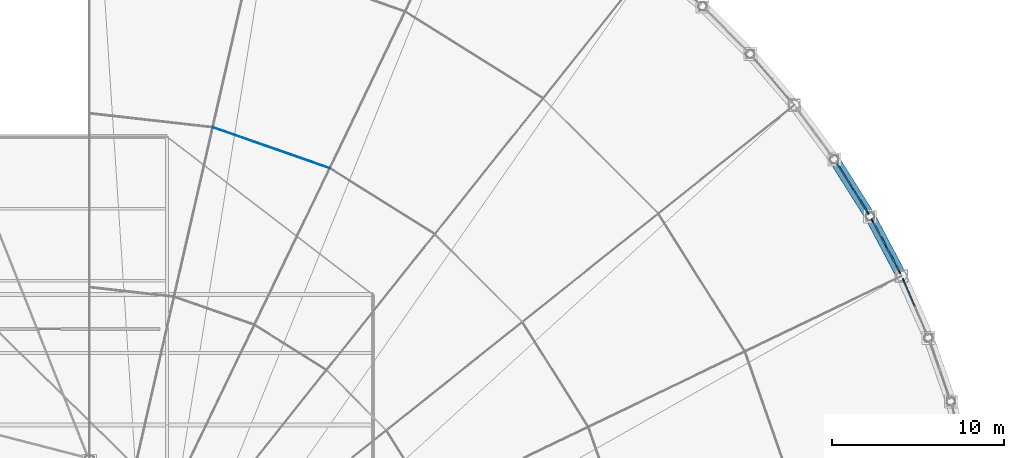
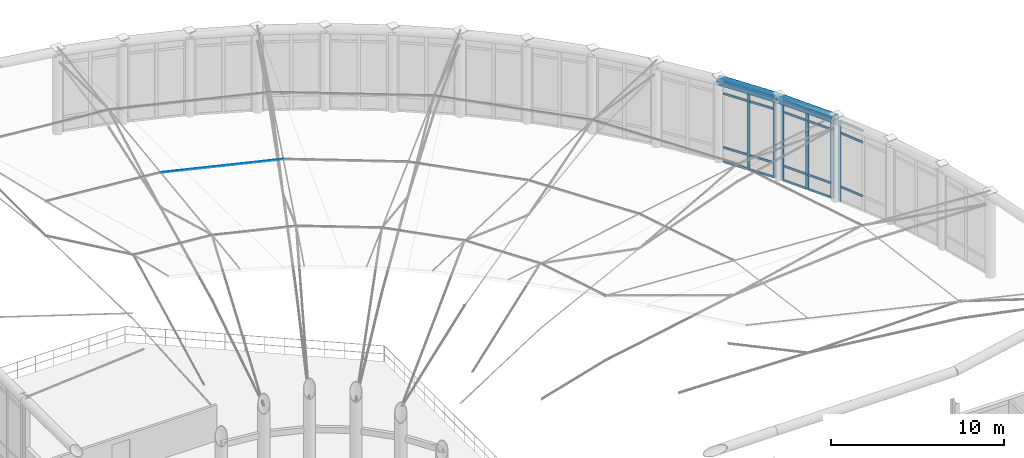
# One storey, part 58 of 101: 26 members, 2 beams, 3 elements without a shape of their own.
"""IFC4 building model written with IfcOpenShell, lengths in metres."""

from ifc_helpers import new_model, si_unit, direction, frame, origin, origin_2d, place, context, subcontext, project, spatial, rectangle, circle, hollow_circle, extrude, material, layer, layer_set, material_profile, profile_set, type_object, element, aggregate, save


model = new_model("IFC4")

# Units and contexts
model_context = context("Model", 3, precision=1e-05, world=origin(), true_north=direction((0.0, 1.0)))
body_context = subcontext(model_context, "Body", "Model", "MODEL_VIEW")
ifc_project = project(units=[si_unit("LENGTHUNIT", "METRE"), si_unit("AREAUNIT", "SQUARE_METRE"), si_unit("VOLUMEUNIT", "CUBIC_METRE"), si_unit("PLANEANGLEUNIT", "RADIAN"), si_unit("MASSUNIT", "GRAM", prefix="KILO"), si_unit("THERMODYNAMICTEMPERATUREUNIT", "KELVIN"), si_unit("POWERUNIT", "WATT")], contexts=[model_context])

# Site, building, storey
site_placement = place(None, origin())
site = spatial("IfcSite", under=ifc_project, at=site_placement, CompositionType="ELEMENT")
building_placement = place(site_placement, origin())
building = spatial("IfcBuilding", under=site, at=building_placement, Name="Tembeka Court Mobility Hub", CompositionType="ELEMENT")
storey_placement = place(building_placement, frame((0.0, 0.0, 5.39990234375)))
storey = spatial("IfcBuildingStorey", under=building, at=storey_placement, Name="L01", CompositionType="ELEMENT", Elevation=5.39990234375)

# Beams
ifc_material_1 = material(Name="Steel S355", Category="steel")
ifc_material_profile_1 = material_profile(ifc_material_1, hollow_circle(Radius=0.304931640625, WallThickness=0.02001953125, at=origin_2d()), Name="CHS 610x20")
ifc_profile_set_1 = profile_set([ifc_material_profile_1], Name="Steel S355")
beam_type = type_object("IfcBeamType", Name="BM-RB01", PredefinedType="BEAM", material=ifc_profile_set_1)
beam_1_placement = place(storey_placement, frame((171.200927734375, 89.078857421875, 5.695068359375), z_axis=(-0.467296216341, 0.884100812234, 0.0), x_axis=(-0.884100812234, -0.467296216341, 0.0)))
element("IfcBeam", 1, at=beam_1_placement, inside=storey, type_object=beam_type, Name="Concourse compression ring beam RB01-07", PredefinedType="BEAM", context=body_context, shape_type="SweptSolid", body=[
    extrude(hollow_circle(Radius=0.304931640625, WallThickness=0.02001953125, at=origin_2d()), origin(), (0.0, 0.0, 1.0), 3.92626953125),
])
beam_2_placement = place(storey_placement, frame((169.3662109375, 92.550048828125, 5.695068359375), z_axis=(-0.532009791084, 0.846738201684, 0.0), x_axis=(-0.846738201684, -0.532009791084, 0.0)))
element("IfcBeam", 2, at=beam_2_placement, inside=storey, type_object=beam_type, Name="Concourse compression ring beam RB01-08", PredefinedType="BEAM", context=body_context, shape_type="SweptSolid", body=[
    extrude(hollow_circle(Radius=0.304931640625, WallThickness=0.02001953125, at=origin_2d()), origin(), (0.0, 0.0, 1.0), 3.926025390625),
])

# Curtain wall, member
ifc_material_2 = material(Name="Anodised aluminium 6063-T6", Category="aluminium")
ifc_layer = layer(ifc_material_2, 0.199951171875)
ifc_layer_set = layer_set([ifc_layer], Name="Anodised aluminium 6063-T6")
curtain_wall_type = type_object("IfcCurtainWallType", Name="CW-SYS25", PredefinedType="USERDEFINED", material=ifc_layer_set)
curtain_wall_1_placement = place(storey_placement, origin())
curtain_wall_1 = element("IfcCurtainWall", 3, at=curtain_wall_1_placement, inside=storey, type_object=curtain_wall_type, Name="Unitised curtain wall CW25 (CW-L01-054)", ObjectType="UNITISED GLAZING", PredefinedType="USERDEFINED")
ifc_material_profile_2 = material_profile(ifc_material_2, rectangle(XDim=0.074951171875, YDim=0.199951171875, at=origin_2d()), Name="ALU-MUL 75x200")
ifc_profile_set_2 = profile_set([ifc_material_profile_2], Name="Anodised aluminium 6063-T6")
member_type_1 = type_object("IfcMemberType", Name="CW-MUL02", PredefinedType="MULLION", material=ifc_profile_set_2)
member_1_placement = place(storey_placement, frame((171.303955078125, 88.843017578125, 0.0), z_axis=(0.0, 0.0, 1.0), x_axis=(-0.916572258286, -0.399869097757, 0.0)))
member_1 = element("IfcMember", 4, at=member_1_placement, type_object=member_type_1, Name="CW25 mullion 3", PredefinedType="MULLION", context=body_context, shape_type="SweptSolid", body=[
    extrude(rectangle(XDim=0.074951171875, YDim=0.199951171875, at=origin_2d()), origin(), (0.0, 0.0, 1.0), 5.7001953125),
])

# Curtain wall, members
curtain_wall_2_placement = place(storey_placement, origin())
curtain_wall_2 = element("IfcCurtainWall", 5, at=curtain_wall_2_placement, inside=storey, type_object=curtain_wall_type, Name="Unitised curtain wall CW25 (CW-L01-056)", ObjectType="UNITISED GLAZING", PredefinedType="USERDEFINED")
member_2_placement = place(storey_placement, frame((171.08056640625, 89.306640625, 0.0), z_axis=(0.0, 0.0, 1.0), x_axis=(-0.884107976202, -0.467282662225, 0.0)))
member_2 = element("IfcMember", 6, at=member_2_placement, type_object=member_type_1, Name="CW25 mullion 1", PredefinedType="MULLION", context=body_context, shape_type="SweptSolid", body=[
    extrude(rectangle(XDim=0.074951171875, YDim=0.199951171875, at=origin_2d()), origin(), (0.0, 0.0, 1.0), 5.7001953125),
])
member_3_placement = place(storey_placement, frame((170.28369140625, 90.814453125, 0.0), z_axis=(0.0, 0.0, 1.0), x_axis=(-0.884107976202, -0.467282662225, 0.0)))
member_3 = element("IfcMember", 7, at=member_3_placement, type_object=member_type_1, Name="CW25 mullion 2", PredefinedType="MULLION", context=body_context, shape_type="SweptSolid", body=[
    extrude(rectangle(XDim=0.074951171875, YDim=0.199951171875, at=origin_2d()), origin(), (0.0, 0.0, 1.0), 5.7001953125),
])
member_4_placement = place(storey_placement, frame((169.486572265625, 92.322265625, 0.0), z_axis=(0.0, 0.0, 1.0), x_axis=(-0.884107976202, -0.467282662225, 0.0)))
member_4 = element("IfcMember", 8, at=member_4_placement, type_object=member_type_1, Name="CW25 mullion 3", PredefinedType="MULLION", context=body_context, shape_type="SweptSolid", body=[
    extrude(rectangle(XDim=0.074951171875, YDim=0.199951171875, at=origin_2d()), origin(), (0.0, 0.0, 1.0), 5.7001953125),
])

curtain_wall_3_placement = place(storey_placement, origin())
curtain_wall_3 = element("IfcCurtainWall", 9, at=curtain_wall_3_placement, inside=storey, type_object=curtain_wall_type, Name="Unitised curtain wall CW25 (CW-L01-058)", ObjectType="UNITISED GLAZING", PredefinedType="USERDEFINED")
member_5_placement = place(storey_placement, frame((169.229248046875, 92.76806640625, 0.0), z_axis=(0.0, 0.0, 1.0), x_axis=(-0.846708179607, -0.532057570744, 0.0)))
member_5 = element("IfcMember", 10, at=member_5_placement, type_object=member_type_1, Name="CW25 mullion 1", PredefinedType="MULLION", context=body_context, shape_type="SweptSolid", body=[
    extrude(rectangle(XDim=0.074951171875, YDim=0.199951171875, at=origin_2d()), origin(), (0.0, 0.0, 1.0), 5.7001953125),
])
member_6_placement = place(storey_placement, frame((168.322021484375, 94.212158203125, 0.0), z_axis=(0.0, 0.0, 1.0), x_axis=(-0.846708179607, -0.532057570744, 0.0)))
member_6 = element("IfcMember", 11, at=member_6_placement, type_object=member_type_1, Name="CW25 mullion 2", PredefinedType="MULLION", context=body_context, shape_type="SweptSolid", body=[
    extrude(rectangle(XDim=0.074951171875, YDim=0.199951171875, at=origin_2d()), origin(), (0.0, 0.0, 1.0), 5.7001953125),
])

# Member
ifc_material_profile_3 = material_profile(ifc_material_2, rectangle(XDim=0.074951171875, YDim=0.14990234375, at=origin_2d()), Name="ALU-TRN 75x150")
ifc_profile_set_3 = profile_set([ifc_material_profile_3], Name="Anodised aluminium 6063-T6")
member_type_2 = type_object("IfcMemberType", Name="CW-TRN02", PredefinedType="USERDEFINED", material=ifc_profile_set_3)
member_7_placement = place(storey_placement, frame((171.970947265625, 87.31396484375, 1.050048828125), z_axis=(-0.399891861372, 0.916562326963, 0.0), x_axis=(-0.916562326963, -0.399891861372, 0.0)))
member_7 = element("IfcMember", 12, at=member_7_placement, type_object=member_type_2, Name="CW25 transom 2.2", ObjectType="TRANSOM", PredefinedType="USERDEFINED", context=body_context, shape_type="SweptSolid", body=[
    extrude(rectangle(XDim=0.074951171875, YDim=0.14990234375, at=origin_2d()), origin(), (0.0, 0.0, 1.0), 1.630615234375),
])

member_8_placement = place(storey_placement, frame((171.970947265625, 87.31396484375, 4.85009765625), z_axis=(-0.399891861372, 0.916562326963, 0.0), x_axis=(-0.916562326963, -0.399891861372, 0.0)))
member_8 = element("IfcMember", 13, at=member_8_placement, type_object=member_type_2, Name="CW25 transom 2.3", ObjectType="TRANSOM", PredefinedType="USERDEFINED", context=body_context, shape_type="SweptSolid", body=[
    extrude(rectangle(XDim=0.074951171875, YDim=0.14990234375, at=origin_2d()), origin(), (0.0, 0.0, 1.0), 1.630615234375),
])

member_9_placement = place(storey_placement, frame((171.970947265625, 87.31396484375, 5.66259765625), z_axis=(-0.399891861372, 0.916562326963, 0.0), x_axis=(-0.916562326963, -0.399891861372, 0.0)))
member_9 = element("IfcMember", 14, at=member_9_placement, type_object=member_type_2, Name="CW25 transom 2.4", ObjectType="TRANSOM", PredefinedType="USERDEFINED", context=body_context, shape_type="SweptSolid", body=[
    extrude(rectangle(XDim=0.074951171875, YDim=0.14990234375, at=origin_2d()), origin(), (0.0, 0.0, 1.0), 1.630615234375),
])

aggregate(curtain_wall_1, [member_1, member_7, member_8, member_9])

member_10_placement = place(storey_placement, frame((171.06298828125, 89.339599609375, 0.03759765625), z_axis=(-0.467282248341, 0.884108194954, 0.0), x_axis=(-0.884108194954, -0.467282248341, 0.0)))
member_10 = element("IfcMember", 15, at=member_10_placement, type_object=member_type_2, Name="CW25 transom 1.1", ObjectType="TRANSOM", PredefinedType="USERDEFINED", context=body_context, shape_type="SweptSolid", body=[
    extrude(rectangle(XDim=0.074951171875, YDim=0.14990234375, at=origin_2d()), origin(), (0.0, 0.0, 1.0), 1.630615234375),
])

member_11_placement = place(storey_placement, frame((171.06298828125, 89.339599609375, 1.050048828125), z_axis=(-0.467282248341, 0.884108194954, 0.0), x_axis=(-0.884108194954, -0.467282248341, 0.0)))
member_11 = element("IfcMember", 16, at=member_11_placement, type_object=member_type_2, Name="CW25 transom 1.2", ObjectType="TRANSOM", PredefinedType="USERDEFINED", context=body_context, shape_type="SweptSolid", body=[
    extrude(rectangle(XDim=0.074951171875, YDim=0.14990234375, at=origin_2d()), origin(), (0.0, 0.0, 1.0), 1.630615234375),
])

member_12_placement = place(storey_placement, frame((171.06298828125, 89.339599609375, 4.85009765625), z_axis=(-0.467282248341, 0.884108194954, 0.0), x_axis=(-0.884108194954, -0.467282248341, 0.0)))
member_12 = element("IfcMember", 17, at=member_12_placement, type_object=member_type_2, Name="CW25 transom 1.3", ObjectType="TRANSOM", PredefinedType="USERDEFINED", context=body_context, shape_type="SweptSolid", body=[
    extrude(rectangle(XDim=0.074951171875, YDim=0.14990234375, at=origin_2d()), origin(), (0.0, 0.0, 1.0), 1.630615234375),
])

member_13_placement = place(storey_placement, frame((171.06298828125, 89.339599609375, 5.66259765625), z_axis=(-0.467282248341, 0.884108194954, 0.0), x_axis=(-0.884108194954, -0.467282248341, 0.0)))
member_13 = element("IfcMember", 18, at=member_13_placement, type_object=member_type_2, Name="CW25 transom 1.4", ObjectType="TRANSOM", PredefinedType="USERDEFINED", context=body_context, shape_type="SweptSolid", body=[
    extrude(rectangle(XDim=0.074951171875, YDim=0.14990234375, at=origin_2d()), origin(), (0.0, 0.0, 1.0), 1.630615234375),
])

member_14_placement = place(storey_placement, frame((170.26611328125, 90.84765625, 0.03759765625), z_axis=(-0.467282248341, 0.884108194954, 0.0), x_axis=(-0.884108194954, -0.467282248341, 0.0)))
member_14 = element("IfcMember", 19, at=member_14_placement, type_object=member_type_2, Name="CW25 transom 2.1", ObjectType="TRANSOM", PredefinedType="USERDEFINED", context=body_context, shape_type="SweptSolid", body=[
    extrude(rectangle(XDim=0.074951171875, YDim=0.14990234375, at=origin_2d()), origin(), (0.0, 0.0, 1.0), 1.630615234375),
])

member_15_placement = place(storey_placement, frame((170.26611328125, 90.84765625, 1.050048828125), z_axis=(-0.467282248341, 0.884108194954, 0.0), x_axis=(-0.884108194954, -0.467282248341, 0.0)))
member_15 = element("IfcMember", 20, at=member_15_placement, type_object=member_type_2, Name="CW25 transom 2.2", ObjectType="TRANSOM", PredefinedType="USERDEFINED", context=body_context, shape_type="SweptSolid", body=[
    extrude(rectangle(XDim=0.074951171875, YDim=0.14990234375, at=origin_2d()), origin(), (0.0, 0.0, 1.0), 1.630615234375),
])

member_16_placement = place(storey_placement, frame((170.26611328125, 90.84765625, 4.85009765625), z_axis=(-0.467282248341, 0.884108194954, 0.0), x_axis=(-0.884108194954, -0.467282248341, 0.0)))
member_16 = element("IfcMember", 21, at=member_16_placement, type_object=member_type_2, Name="CW25 transom 2.3", ObjectType="TRANSOM", PredefinedType="USERDEFINED", context=body_context, shape_type="SweptSolid", body=[
    extrude(rectangle(XDim=0.074951171875, YDim=0.14990234375, at=origin_2d()), origin(), (0.0, 0.0, 1.0), 1.630615234375),
])

member_17_placement = place(storey_placement, frame((170.26611328125, 90.84765625, 5.66259765625), z_axis=(-0.467282248341, 0.884108194954, 0.0), x_axis=(-0.884108194954, -0.467282248341, 0.0)))
member_17 = element("IfcMember", 22, at=member_17_placement, type_object=member_type_2, Name="CW25 transom 2.4", ObjectType="TRANSOM", PredefinedType="USERDEFINED", context=body_context, shape_type="SweptSolid", body=[
    extrude(rectangle(XDim=0.074951171875, YDim=0.14990234375, at=origin_2d()), origin(), (0.0, 0.0, 1.0), 1.630615234375),
])

aggregate(curtain_wall_2, [member_2, member_3, member_4, member_10, member_11, member_12, member_13, member_14, member_15, member_16, member_17])

member_18_placement = place(storey_placement, frame((169.20947265625, 92.7998046875, 0.03759765625), z_axis=(-0.532110218456, 0.846675094363, 0.0), x_axis=(-0.846675094363, -0.532110218456, 0.0)))
member_18 = element("IfcMember", 23, at=member_18_placement, type_object=member_type_2, Name="CW25 transom 1.1", ObjectType="TRANSOM", PredefinedType="USERDEFINED", context=body_context, shape_type="SweptSolid", body=[
    extrude(rectangle(XDim=0.074951171875, YDim=0.14990234375, at=origin_2d()), origin(), (0.0, 0.0, 1.0), 1.630615234375),
])

member_19_placement = place(storey_placement, frame((169.20947265625, 92.7998046875, 1.050048828125), z_axis=(-0.532110218456, 0.846675094363, 0.0), x_axis=(-0.846675094363, -0.532110218456, 0.0)))
member_19 = element("IfcMember", 24, at=member_19_placement, type_object=member_type_2, Name="CW25 transom 1.2", ObjectType="TRANSOM", PredefinedType="USERDEFINED", context=body_context, shape_type="SweptSolid", body=[
    extrude(rectangle(XDim=0.074951171875, YDim=0.14990234375, at=origin_2d()), origin(), (0.0, 0.0, 1.0), 1.630615234375),
])

member_20_placement = place(storey_placement, frame((169.20947265625, 92.7998046875, 4.85009765625), z_axis=(-0.532110218456, 0.846675094363, 0.0), x_axis=(-0.846675094363, -0.532110218456, 0.0)))
member_20 = element("IfcMember", 25, at=member_20_placement, type_object=member_type_2, Name="CW25 transom 1.3", ObjectType="TRANSOM", PredefinedType="USERDEFINED", context=body_context, shape_type="SweptSolid", body=[
    extrude(rectangle(XDim=0.074951171875, YDim=0.14990234375, at=origin_2d()), origin(), (0.0, 0.0, 1.0), 1.630615234375),
])

member_21_placement = place(storey_placement, frame((169.20947265625, 92.7998046875, 5.66259765625), z_axis=(-0.532110218456, 0.846675094363, 0.0), x_axis=(-0.846675094363, -0.532110218456, 0.0)))
member_21 = element("IfcMember", 26, at=member_21_placement, type_object=member_type_2, Name="CW25 transom 1.4", ObjectType="TRANSOM", PredefinedType="USERDEFINED", context=body_context, shape_type="SweptSolid", body=[
    extrude(rectangle(XDim=0.074951171875, YDim=0.14990234375, at=origin_2d()), origin(), (0.0, 0.0, 1.0), 1.630615234375),
])

member_22_placement = place(storey_placement, frame((168.302001953125, 94.243896484375, 0.03759765625), z_axis=(-0.532110218456, 0.846675094363, 0.0), x_axis=(-0.846675094363, -0.532110218456, 0.0)))
member_22 = element("IfcMember", 27, at=member_22_placement, type_object=member_type_2, Name="CW25 transom 2.1", ObjectType="TRANSOM", PredefinedType="USERDEFINED", context=body_context, shape_type="SweptSolid", body=[
    extrude(rectangle(XDim=0.074951171875, YDim=0.14990234375, at=origin_2d()), origin(), (0.0, 0.0, 1.0), 1.630615234375),
])

member_23_placement = place(storey_placement, frame((168.302001953125, 94.243896484375, 1.050048828125), z_axis=(-0.532110218456, 0.846675094363, 0.0), x_axis=(-0.846675094363, -0.532110218456, 0.0)))
member_23 = element("IfcMember", 28, at=member_23_placement, type_object=member_type_2, Name="CW25 transom 2.2", ObjectType="TRANSOM", PredefinedType="USERDEFINED", context=body_context, shape_type="SweptSolid", body=[
    extrude(rectangle(XDim=0.074951171875, YDim=0.14990234375, at=origin_2d()), origin(), (0.0, 0.0, 1.0), 1.630615234375),
])

member_24_placement = place(storey_placement, frame((168.302001953125, 94.243896484375, 4.85009765625), z_axis=(-0.532110218456, 0.846675094363, 0.0), x_axis=(-0.846675094363, -0.532110218456, 0.0)))
member_24 = element("IfcMember", 29, at=member_24_placement, type_object=member_type_2, Name="CW25 transom 2.3", ObjectType="TRANSOM", PredefinedType="USERDEFINED", context=body_context, shape_type="SweptSolid", body=[
    extrude(rectangle(XDim=0.074951171875, YDim=0.14990234375, at=origin_2d()), origin(), (0.0, 0.0, 1.0), 1.630615234375),
])

member_25_placement = place(storey_placement, frame((168.302001953125, 94.243896484375, 5.66259765625), z_axis=(-0.532110218456, 0.846675094363, 0.0), x_axis=(-0.846675094363, -0.532110218456, 0.0)))
member_25 = element("IfcMember", 30, at=member_25_placement, type_object=member_type_2, Name="CW25 transom 2.4", ObjectType="TRANSOM", PredefinedType="USERDEFINED", context=body_context, shape_type="SweptSolid", body=[
    extrude(rectangle(XDim=0.074951171875, YDim=0.14990234375, at=origin_2d()), origin(), (0.0, 0.0, 1.0), 1.630615234375),
])

aggregate(curtain_wall_3, [member_5, member_6, member_18, member_19, member_20, member_21, member_22, member_23, member_24, member_25])

ifc_material_3 = material(Name="Steel S460", Category="steel")
ifc_material_profile_4 = material_profile(ifc_material_3, circle(Radius=0.02392578125, at=origin_2d()), Name="CABLE D48")
ifc_profile_set_4 = profile_set([ifc_material_profile_4], Name="Steel S460")
member_type_3 = type_object("IfcMemberType", Name="MEM-CB02", PredefinedType="USERDEFINED", material=ifc_profile_set_4)
member_26_placement = place(storey_placement, frame((137.892578125, 95.356201171875, 10.7001953125), z_axis=(-0.943875748303, 0.330300729285, 0.0), x_axis=(-0.330300729285, -0.943875748303, 0.0)))
element("IfcMember", 31, at=member_26_placement, inside=storey, type_object=member_type_3, Name="Concourse circumferential hoop cable CB02-B6-2", ObjectType="CABLE", PredefinedType="USERDEFINED", context=body_context, shape_type="SweptSolid", body=[
    extrude(circle(Radius=0.02392578125, at=origin_2d()), origin(), (0.0, 0.0, 1.0), 7.221435546875),
])

save(model, "model.ifc")
